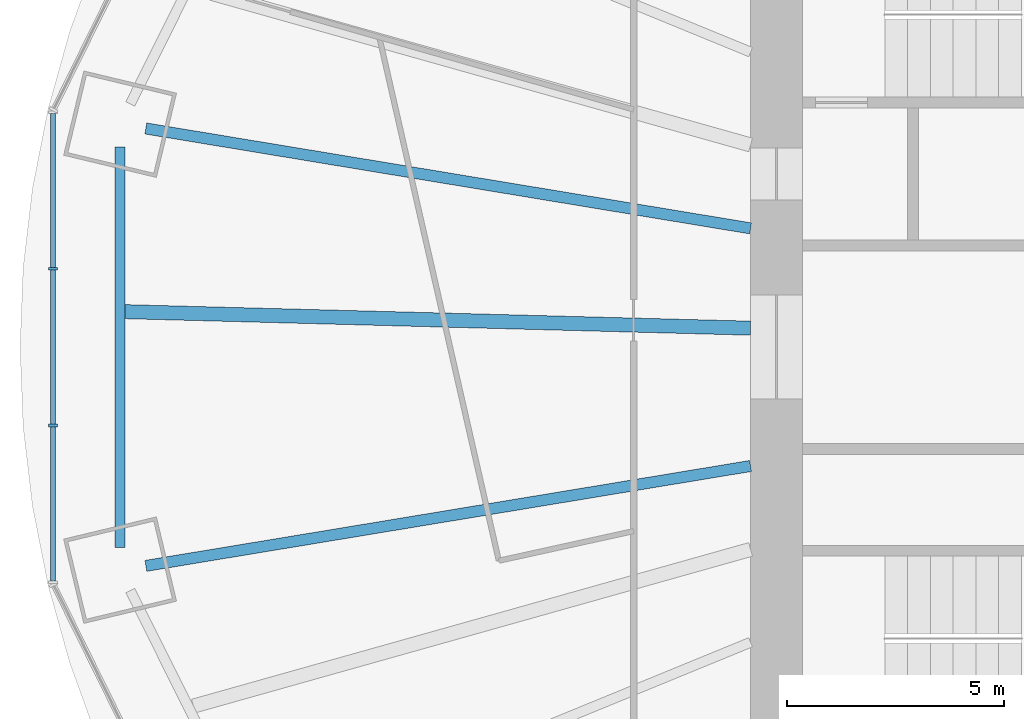
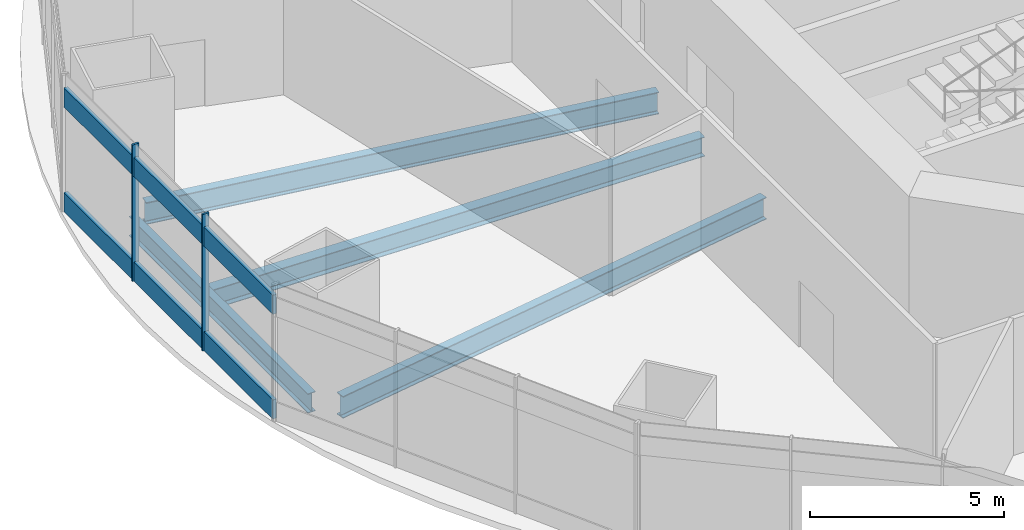
# One storey, part 3 of 17: 6 members, 4 beams, 2 elements without a shape of their own.
"""IFC4 building model written with IfcOpenShell, lengths in metres."""

from ifc_helpers import new_model, si_unit, direction, frame, origin, origin_2d, place, context, subcontext, project, spatial, rectangle, i_section, extrude, material, material_profile, profile_set, type_object, element, aggregate, save


model = new_model("IFC4")

# Units and contexts
model_context = context("Model", 3, precision=1e-05, world=origin(), true_north=direction((0.0, 1.0)))
body_context = subcontext(model_context, "Body", "Model", "MODEL_VIEW")
ifc_project = project(units=[si_unit("LENGTHUNIT", "METRE"), si_unit("AREAUNIT", "SQUARE_METRE"), si_unit("VOLUMEUNIT", "CUBIC_METRE"), si_unit("PLANEANGLEUNIT", "RADIAN"), si_unit("MASSUNIT", "GRAM", prefix="KILO")], contexts=[model_context])

# Site, building, storey
site_placement = place(None, origin())
site = spatial("IfcSite", under=ifc_project, at=site_placement, CompositionType="ELEMENT")
building_placement = place(site_placement, origin())
building = spatial("IfcBuilding", under=site, at=building_placement, Name="Marenthal Gate Tower", CompositionType="ELEMENT")
storey_placement = place(building_placement, frame((0.0, 0.0, 145.050048828125)))
storey = spatial("IfcBuildingStorey", under=building, at=storey_placement, Name="L31", CompositionType="ELEMENT", Elevation=145.050048828125)

# Curtain wall, members
ifc_material_1 = material(Name="Aluminium and glass", Category="aluminium")
curtain_wall_type_1 = type_object("IfcCurtainWallType", Name="Curtain wall amenity", PredefinedType="NOTDEFINED", material=ifc_material_1)
curtain_wall_1_placement = place(storey_placement, origin())
curtain_wall_1 = element("IfcCurtainWall", 1, at=curtain_wall_1_placement, inside=storey, type_object=curtain_wall_type_1, Name="Curtain wall L31 bay 8", PredefinedType="NOTDEFINED")
ifc_material_2 = material(Name="Aluminium", Category="aluminium")
ifc_material_profile_1 = material_profile(ifc_material_2, rectangle(XDim=0.199951171875, YDim=0.06005859375, at=origin_2d()), Name="60x200 aluminium mullion")
ifc_profile_set_1 = profile_set([ifc_material_profile_1], Name="Aluminium")
member_type_1 = type_object("IfcMemberType", Name="Mullion 60x200 amenity", PredefinedType="MULLION", material=ifc_profile_set_1)
member_1_placement = place(storey_placement, frame((-32.701416015625, 1.80810546875, 0.0), z_axis=(0.0, 0.0, 1.0), x_axis=(1.0, 0.0, 0.0)))
member_1 = element("IfcMember", 2, at=member_1_placement, type_object=member_type_1, Name="Mullion L31 bay 8.2", PredefinedType="MULLION", context=body_context, shape_type="SweptSolid", body=[
    extrude(rectangle(XDim=0.199951171875, YDim=0.06005859375, at=origin_2d()), origin(), (0.0, 0.0, 1.0), 3.300048828125),
])
member_2_placement = place(storey_placement, frame((-32.701416015625, -1.80810546875, 0.0), z_axis=(0.0, 0.0, 1.0), x_axis=(1.0, 0.0, 0.0)))
member_2 = element("IfcMember", 3, at=member_2_placement, type_object=member_type_1, Name="Mullion L31 bay 8.3", PredefinedType="MULLION", context=body_context, shape_type="SweptSolid", body=[
    extrude(rectangle(XDim=0.199951171875, YDim=0.06005859375, at=origin_2d()), origin(), (0.0, 0.0, 1.0), 3.300048828125),
])

ifc_material_3 = material(Name="Aluminium and glass", Category="aluminium")
curtain_wall_type_2 = type_object("IfcCurtainWallType", Name="Curtain wall crown clad", PredefinedType="NOTDEFINED", material=ifc_material_3)
curtain_wall_2_placement = place(storey_placement, origin())
curtain_wall_2 = element("IfcCurtainWall", 4, at=curtain_wall_2_placement, inside=storey, type_object=curtain_wall_type_2, Name="Curtain wall L31 bay 8 head band", PredefinedType="NOTDEFINED")
ifc_material_4 = material(Name="Aluminium", Category="aluminium")
ifc_material_profile_2 = material_profile(ifc_material_4, rectangle(XDim=0.199951171875, YDim=0.06005859375, at=origin_2d()), Name="60x200 aluminium mullion")
ifc_profile_set_2 = profile_set([ifc_material_profile_2], Name="Aluminium")
member_type_2 = type_object("IfcMemberType", Name="Mullion 60x200 crown clad", PredefinedType="MULLION", material=ifc_profile_set_2)
member_3_placement = place(storey_placement, frame((-32.701416015625, 1.80810546875, 3.300048828125), z_axis=(0.0, 0.0, 1.0), x_axis=(1.0, 0.0, 0.0)))
member_3 = element("IfcMember", 5, at=member_3_placement, type_object=member_type_2, Name="Mullion L31 bay 8.2", PredefinedType="MULLION", context=body_context, shape_type="SweptSolid", body=[
    extrude(rectangle(XDim=0.199951171875, YDim=0.06005859375, at=origin_2d()), origin(), (0.0, 0.0, 1.0), 1.0),
])
member_4_placement = place(storey_placement, frame((-32.701416015625, -1.80810546875, 3.300048828125), z_axis=(0.0, 0.0, 1.0), x_axis=(1.0, 0.0, 0.0)))
member_4 = element("IfcMember", 6, at=member_4_placement, type_object=member_type_2, Name="Mullion L31 bay 8.3", PredefinedType="MULLION", context=body_context, shape_type="SweptSolid", body=[
    extrude(rectangle(XDim=0.199951171875, YDim=0.06005859375, at=origin_2d()), origin(), (0.0, 0.0, 1.0), 1.0),
])

# Member
ifc_material_5 = material(Name="Aluminium", Category="aluminium")
ifc_material_profile_3 = material_profile(ifc_material_5, rectangle(XDim=0.1201171875, YDim=0.60009765625, at=origin_2d()), Name="120x600 aluminium transom")
ifc_profile_set_3 = profile_set([ifc_material_profile_3], Name="Aluminium")
member_type_3 = type_object("IfcMemberType", Name="Transom 120x600 amenity", PredefinedType="USERDEFINED", material=ifc_profile_set_3)
member_5_placement = place(storey_placement, frame((-32.701416015625, 5.39404296875, 0.300048828125), z_axis=(0.0, -1.0, 0.0), x_axis=(1.0, 0.0, 0.0)))
member_5 = element("IfcMember", 7, at=member_5_placement, type_object=member_type_3, Name="Transom L31 bay 8", ObjectType="TRANSOM", PredefinedType="USERDEFINED", context=body_context, shape_type="SweptSolid", body=[
    extrude(rectangle(XDim=0.1201171875, YDim=0.60009765625, at=origin_2d()), origin(), (0.0, 0.0, 1.0), 10.7880859375),
])

aggregate(curtain_wall_1, [member_1, member_2, member_5])

ifc_material_6 = material(Name="Aluminium", Category="aluminium")
ifc_material_profile_4 = material_profile(ifc_material_6, rectangle(XDim=0.1201171875, YDim=0.60009765625, at=origin_2d()), Name="120x600 aluminium transom")
ifc_profile_set_4 = profile_set([ifc_material_profile_4], Name="Aluminium")
member_type_4 = type_object("IfcMemberType", Name="Transom 120x600 crown clad", PredefinedType="USERDEFINED", material=ifc_profile_set_4)
member_6_placement = place(storey_placement, frame((-32.701416015625, 5.39404296875, 3.599853515625), z_axis=(0.0, -1.0, 0.0), x_axis=(1.0, 0.0, 0.0)))
member_6 = element("IfcMember", 8, at=member_6_placement, type_object=member_type_4, Name="Transom L31 bay 8", ObjectType="TRANSOM", PredefinedType="USERDEFINED", context=body_context, shape_type="SweptSolid", body=[
    extrude(rectangle(XDim=0.1201171875, YDim=0.60009765625, at=origin_2d()), origin(), (0.0, 0.0, 1.0), 10.7880859375),
])

aggregate(curtain_wall_2, [member_3, member_4, member_6])

# Beams
ifc_material_7 = material(Name="Steel S355", Category="steel")
ifc_material_profile_5 = material_profile(ifc_material_7, i_section(OverallWidth=0.22900390625, OverallDepth=0.612060546875, WebThickness=0.011962890625, FlangeThickness=0.01953125, FilletRadius=0.0126953125, at=origin_2d()), Name="W610X125")
ifc_profile_set_5 = profile_set([ifc_material_profile_5], Name="Steel S355")
beam_type_1 = type_object("IfcBeamType", Name="W610X125 beam", PredefinedType="BEAM", material=ifc_profile_set_5)
beam_1_placement = place(storey_placement, frame((-31.151611328125, 4.61767578125, -0.506103515625), z_axis=(0.0, -1.0, 0.0), x_axis=(1.0, 0.0, 0.0)))
element("IfcBeam", 9, at=beam_1_placement, inside=storey, type_object=beam_type_1, Name="BM-L31-48", PredefinedType="BEAM", context=body_context, shape_type="SweptSolid", body=[
    extrude(i_section(OverallWidth=0.22900390625, OverallDepth=0.612060546875, WebThickness=0.011962890625, FlangeThickness=0.01953125, FilletRadius=0.0126953125, at=origin_2d()), origin(), (0.0, 0.0, 1.0), 9.2353515625),
])
ifc_material_8 = material(Name="Steel S355", Category="steel")
ifc_material_profile_6 = material_profile(ifc_material_8, i_section(OverallWidth=0.324951171875, OverallDepth=0.612060546875, WebThickness=0.0126953125, FlangeThickness=0.01904296875, FilletRadius=0.0126953125, at=origin_2d()), Name="W610X155")
ifc_profile_set_6 = profile_set([ifc_material_profile_6], Name="Steel S355")
beam_type_2 = type_object("IfcBeamType", Name="W610X155 beam", PredefinedType="BEAM", material=ifc_profile_set_6)
beam_2_placement = place(storey_placement, frame((-31.037109375, 0.8203125, -0.506103515625), z_axis=(0.999650870969, -0.02642226657, 0.0), x_axis=(0.02642226657, 0.999650870969, 0.0)))
element("IfcBeam", 10, at=beam_2_placement, inside=storey, type_object=beam_type_2, Name="BM-L31-28", PredefinedType="BEAM", context=body_context, shape_type="SweptSolid", body=[
    extrude(i_section(OverallWidth=0.324951171875, OverallDepth=0.612060546875, WebThickness=0.0126953125, FlangeThickness=0.01904296875, FilletRadius=0.0126953125, at=origin_2d()), origin(), (0.0, 0.0, 1.0), 14.442138671875),
])
ifc_material_9 = material(Name="Steel S355", Category="steel")
ifc_material_profile_7 = material_profile(ifc_material_9, i_section(OverallWidth=0.257080078125, OverallDepth=0.693115234375, WebThickness=0.014404296875, FlangeThickness=0.023681640625, FilletRadius=0.015380859375, at=origin_2d()), Name="W690X170")
ifc_profile_set_7 = profile_set([ifc_material_profile_7], Name="Steel S355")
beam_type_3 = type_object("IfcBeamType", Name="W690X170 beam", PredefinedType="BEAM", material=ifc_profile_set_7)
for number, where, z_axis, x_axis, name in (
    (11, (-30.556884765625, 5.047607421875, -0.546630859375), (0.986630319442, -0.162974270234, 0.0), (0.162974270234, 0.986630319442, 0.0), "BM-L31-08"),
    (12, (-30.556884765625, -5.047607421875, -0.546630859375), (0.986630319442, 0.162974270234, 0.0), (-0.162974270234, 0.986630319442, 0.0), "BM-L31-09"),
):
    element("IfcBeam", number, at=place(storey_placement, frame(where, z_axis=z_axis, x_axis=x_axis)), inside=storey, type_object=beam_type_3, Name=name, PredefinedType="BEAM", context=body_context, shape_type="SweptSolid", body=[
        extrude(i_section(OverallWidth=0.257080078125, OverallDepth=0.693115234375, WebThickness=0.014404296875, FlangeThickness=0.023681640625, FilletRadius=0.015380859375, at=origin_2d()), origin(), (0.0, 0.0, 1.0), 14.14599609375),
    ])

save(model, "model.ifc")
